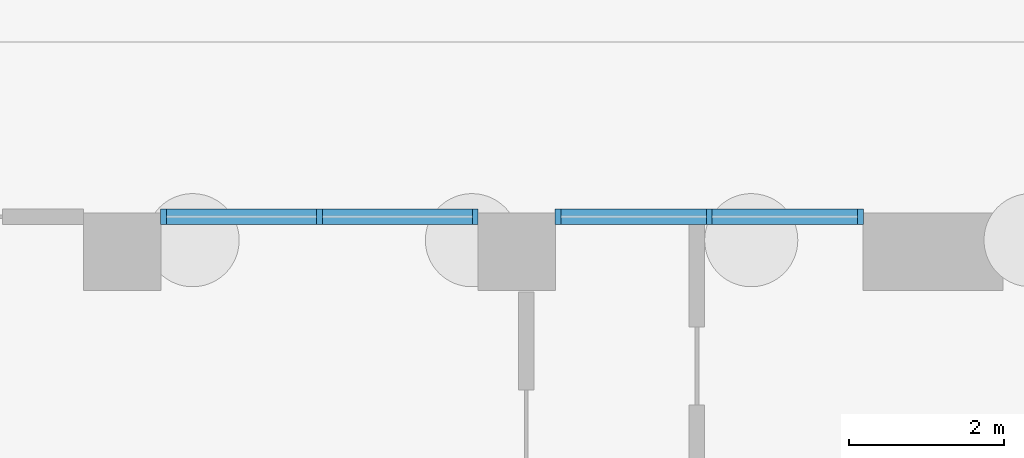
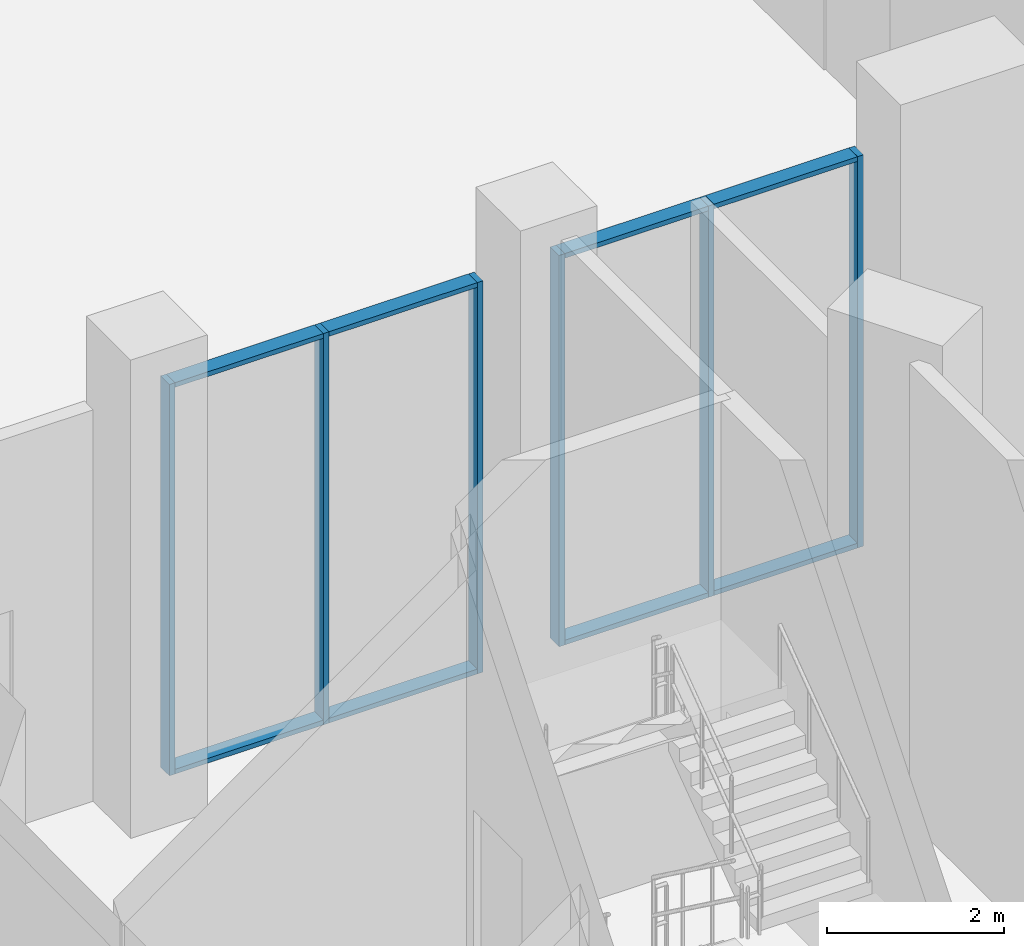
# One storey, part 9 of 44: 14 members, 2 elements without a shape of their own.
"""IFC4 building model written with IfcOpenShell, lengths in metres."""

import ifcopenshell
import ifcopenshell.guid

model = None  # the IFC model being written
_history = None  # IfcOwnerHistory: only IFC2X3 demands one
_inside = {}  # id of a spatial element -> (the spatial element, [elements in it])
_under = {}  # id of a project, library or spatial element -> (it, [spatial elements below it])
_declared = {}  # id of a project -> (the project, [libraries it declares])
_typed = {}  # id of a type object -> (the type object, [elements of that type])
_made_of = {}  # id of a material, layer set ... -> (it, [elements and type objects made of it])


def new_model(schema):
    """Start an empty IFC model of exactly this schema.

    Asked for "IFC4X3", IfcOpenShell would pick the latest addendum, in which some entities
    have other attributes; the version numbers below select the first issue.
    IFC2X3 requires an IfcOwnerHistory on every rooted entity: one is made here for all.
    """
    global model, _history
    if schema == "IFC4X3":
        model = ifcopenshell.file(schema_version=(4, 3, 0, 0))
    else:
        model = ifcopenshell.file(schema=schema)
    _inside.clear()
    _under.clear()
    _declared.clear()
    _typed.clear()
    _made_of.clear()
    _history = None
    if model.schema == "IFC2X3":
        org = make("IfcOrganization", Name="unknown")
        user = make(
            "IfcPersonAndOrganization",
            ThePerson=make("IfcPerson", FamilyName="unknown"),
            TheOrganization=org,
        )
        app = make(
            "IfcApplication",
            ApplicationDeveloper=org,
            Version="unknown",
            ApplicationFullName="unknown",
            ApplicationIdentifier="unknown",
        )
        _history = make(
            "IfcOwnerHistory",
            OwningUser=user,
            OwningApplication=app,
            ChangeAction="ADDED",
            CreationDate=0,
        )
    return model


def make(cls, **values):
    """One entity of the class cls with the attributes given. An attribute that is None is left unset."""
    return model.create_entity(
        cls, **{name: value for name, value in values.items() if value is not None}
    )


def rooted(cls, **values):
    """An entity with a GlobalId (a new one), such as an element, a storey or a relation."""
    return make(cls, GlobalId=ifcopenshell.guid.new(), OwnerHistory=_history, **values)


def si_unit(unit_type, name, prefix=None):
    """IfcSIUnit, for example si_unit("LENGTHUNIT", "METRE", prefix="MILLI")."""
    return make("IfcSIUnit", UnitType=unit_type, Prefix=prefix, Name=name)


def assignment(units):
    """IfcUnitAssignment: the units of a project."""
    return None if units is None else make("IfcUnitAssignment", Units=units)


def point(xyz):
    """IfcCartesianPoint."""
    return None if xyz is None else make("IfcCartesianPoint", Coordinates=xyz)


def direction(xyz):
    """IfcDirection."""
    return None if xyz is None else make("IfcDirection", DirectionRatios=xyz)


def frame(location, z_axis=None, x_axis=None):
    """IfcAxis2Placement3D, a coordinate frame: its origin and axes. An axis left out is left unset."""
    return make(
        "IfcAxis2Placement3D",
        Location=point(location),
        Axis=direction(z_axis),
        RefDirection=direction(x_axis),
    )


def frame_2d(location, x_axis=None):
    """IfcAxis2Placement2D, a coordinate frame in the plane: its origin and x axis."""
    return make(
        "IfcAxis2Placement2D", Location=point(location), RefDirection=direction(x_axis)
    )


def origin():
    """The frame at (0, 0, 0) with its axes left unset."""
    return frame((0.0, 0.0, 0.0))


def origin_2d():
    """The frame at (0, 0) in the plane with its x axis left unset."""
    return frame_2d((0.0, 0.0))


def place(relative_to, where):
    """IfcLocalPlacement: puts the frame where relative to a parent placement (None: the world)."""
    return make(
        "IfcLocalPlacement", PlacementRelTo=relative_to, RelativePlacement=where
    )


def context(
    kind, dimensions, precision=None, world=None, true_north=None, identifier=None
):
    """IfcGeometricRepresentationContext, for example the 3D "Model" context."""
    return make(
        "IfcGeometricRepresentationContext",
        ContextIdentifier=identifier,
        ContextType=kind,
        CoordinateSpaceDimension=dimensions,
        Precision=precision,
        WorldCoordinateSystem=world,
        TrueNorth=true_north,
    )


def subcontext(parent, identifier, kind, view, scale=None):
    """IfcGeometricRepresentationSubContext, for example "Body" below "Model"."""
    return make(
        "IfcGeometricRepresentationSubContext",
        ContextIdentifier=identifier,
        ContextType=kind,
        ParentContext=parent,
        TargetScale=scale,
        TargetView=view,
    )


def project(units=None, contexts=None):
    """IfcProject with its units and contexts."""
    return rooted(
        "IfcProject",
        Name="project",
        RepresentationContexts=contexts,
        UnitsInContext=assignment(units),
    )


def spatial(cls, under=None, at=None, **own):
    """A site, building, storey or space (cls), placed at a placement, below another one or the project."""
    s = rooted(cls, ObjectPlacement=at, **own)
    if under is not None:
        _under.setdefault(under.id(), (under, []))[1].append(s)
    return s


def profile(cls, at=None, kind="AREA", **sizes):
    """A parametric profile (cls). Its sizes go by their IFC names, for example OverallWidth=200.0."""
    return make(cls, ProfileType=kind, Position=at, **sizes)


def rectangle(**sizes):
    """IfcRectangleProfileDef."""
    return profile("IfcRectangleProfileDef", **sizes)


def extrude(swept, where, along, depth):
    """IfcExtrudedAreaSolid: the profile swept, set in the frame where, extruded along a direction by depth."""
    return make(
        "IfcExtrudedAreaSolid",
        SweptArea=swept,
        Position=where,
        ExtrudedDirection=direction(along),
        Depth=depth,
    )


def shape(context_of_items, identifier, shape_type, items):
    """IfcShapeRepresentation: the items that make up one representation, for example the "Body"."""
    return make(
        "IfcShapeRepresentation",
        ContextOfItems=context_of_items,
        RepresentationIdentifier=identifier,
        RepresentationType=shape_type,
        Items=items,
    )


def material(Name=None, Category=None):
    """IfcMaterial."""
    return make("IfcMaterial", Name=Name, Category=Category)


def layer(
    of_material, thickness, ventilated=None, Name=None, Category=None, Priority=None
):
    """IfcMaterialLayer: one layer of a wall or slab, of a material (None: an air gap)."""
    return make(
        "IfcMaterialLayer",
        Material=of_material,
        LayerThickness=thickness,
        IsVentilated=ventilated,
        Name=Name,
        Category=Category,
        Priority=Priority,
    )


def layer_set(layers, Name=None):
    """IfcMaterialLayerSet."""
    return make("IfcMaterialLayerSet", MaterialLayers=layers, LayerSetName=Name)


def material_profile(
    of_material, cross_section, Name=None, Category=None, Priority=None
):
    """IfcMaterialProfile: a cross section and its material."""
    return make(
        "IfcMaterialProfile",
        Name=Name,
        Material=of_material,
        Profile=cross_section,
        Priority=Priority,
        Category=Category,
    )


def profile_set(profiles, Name=None, composite=None):
    """IfcMaterialProfileSet."""
    return make(
        "IfcMaterialProfileSet",
        Name=Name,
        MaterialProfiles=profiles,
        CompositeProfile=composite,
    )


def made_of(thing, what):
    """Note that an element or type object is made of a material, layer set ...; save() writes the relation."""
    if what is not None:
        _made_of.setdefault(what.id(), (what, []))[1].append(thing)
    return thing


def type_object(cls, material=None, **own):
    """A type object (cls), such as IfcWallType, which elements share."""
    return made_of(rooted(cls, **own), material)


def element(
    cls,
    number,
    at=None,
    inside=None,
    cuts=None,
    type_object=None,
    material=None,
    context=None,
    identifier="Body",
    shape_type=None,
    held_by="IfcProductDefinitionShape",
    body=None,
    shapes=None,
    **own,
):
    """One element of the class cls, such as IfcWall. Its Tag is "e" and its number.

    at: its placement. inside: the storey or other place that contains it. cuts: it is an
    opening in that element (IfcRelVoidsElement). A single representation is given by context,
    identifier, shape_type and body (its items); several are given by shapes. held_by: the class
    of the entity that holds the representations. save() writes the other relations.
    """
    e = rooted(cls, Tag="e%d" % number, ObjectPlacement=at, **own)
    if body is not None:
        shapes = [shape(context, identifier, shape_type, body)]
    if shapes is not None:
        e.Representation = make(held_by, Representations=shapes)
    if inside is not None:
        _inside.setdefault(inside.id(), (inside, []))[1].append(e)
    if cuts is not None:
        rooted(
            "IfcRelVoidsElement", RelatingBuildingElement=cuts, RelatedOpeningElement=e
        )
    if type_object is not None:
        _typed.setdefault(type_object.id(), (type_object, []))[1].append(e)
    return made_of(e, material)


def aggregate(whole, parts):
    """IfcRelAggregates: a whole, such as a stair, and the parts it consists of."""
    return rooted("IfcRelAggregates", RelatingObject=whole, RelatedObjects=parts)


def save(model, path):
    """Write the relations noted so far, then the file.

    IfcRelAggregates (storeys below a building ...), IfcRelContainedInSpatialStructure (elements
    in a storey), IfcRelDefinesByType, IfcRelAssociatesMaterial and IfcRelDeclares: one each for
    every whole, place, type object, material and project.
    """
    for whole, parts in _under.values():
        aggregate(whole, parts)
    for where, things in _inside.values():
        rooted(
            "IfcRelContainedInSpatialStructure",
            RelatedElements=things,
            RelatingStructure=where,
        )
    for kind, things in _typed.values():
        rooted("IfcRelDefinesByType", RelatedObjects=things, RelatingType=kind)
    for what, things in _made_of.values():
        rooted("IfcRelAssociatesMaterial", RelatedObjects=things, RelatingMaterial=what)
    for by, libraries in _declared.values():
        rooted("IfcRelDeclares", RelatingContext=by, RelatedDefinitions=libraries)
    model.write(path)


model = new_model("IFC4")

# Units and contexts
model_context = context("Model", 3, precision=1e-05, world=origin(), true_north=direction((0.0, 1.0)))
body_context = subcontext(model_context, "Body", "Model", "MODEL_VIEW")
ifc_project = project(units=[si_unit("LENGTHUNIT", "METRE"), si_unit("AREAUNIT", "SQUARE_METRE"), si_unit("VOLUMEUNIT", "CUBIC_METRE"), si_unit("PLANEANGLEUNIT", "RADIAN"), si_unit("MASSUNIT", "GRAM", prefix="KILO")], contexts=[model_context])

# Site, building, storey
site_placement = place(None, origin())
site = spatial("IfcSite", under=ifc_project, at=site_placement, CompositionType="ELEMENT")
building_placement = place(site_placement, origin())
building = spatial("IfcBuilding", under=site, at=building_placement, Name="Nakaniwa Court", CompositionType="ELEMENT")
storey_placement = place(building_placement, origin())
storey = spatial("IfcBuildingStorey", under=building, at=storey_placement, Name="L00", CompositionType="ELEMENT", Elevation=0.0)

# Curtain wall, members
ifc_material_1 = material(Name="Black anodised aluminium frame with dark low-E laminated double glazing", Category="aluminium")
ifc_layer = layer(ifc_material_1, 0.199951171875)
ifc_layer_set = layer_set([ifc_layer], Name="Black anodised aluminium frame with dark low-E laminated double glazing")
curtain_wall_type = type_object("IfcCurtainWallType", Name="Portal side curtain wall", PredefinedType="NOTDEFINED", material=ifc_layer_set)
curtain_wall_1_placement = place(storey_placement, origin())
curtain_wall_1 = element("IfcCurtainWall", 1, at=curtain_wall_1_placement, inside=storey, type_object=curtain_wall_type, Name="L00 curtain wall CW5 09", PredefinedType="NOTDEFINED")
ifc_material_2 = material(Name="Black anodised aluminium extrusion", Category="aluminium")
ifc_material_profile_1 = material_profile(ifc_material_2, rectangle(XDim=0.199951171875, YDim=0.074951171875, at=origin_2d()), Name="Portal side curtain wall mullion 75x200")
ifc_profile_set_1 = profile_set([ifc_material_profile_1], Name="Black anodised aluminium extrusion")
member_type_1 = type_object("IfcMemberType", Name="Portal side curtain wall mullion 75x200", PredefinedType="MULLION", material=ifc_profile_set_1)
member_1_placement = place(storey_placement, frame((61.6083984375, 72.5, 0.0), z_axis=(0.0, 0.0, 1.0), x_axis=(0.0, -1.0, 0.0)))
member_1 = element("IfcMember", 2, at=member_1_placement, type_object=member_type_1, Name="CW5 mullion 1", PredefinedType="MULLION", context=body_context, shape_type="SweptSolid", body=[
    extrude(rectangle(XDim=0.199951171875, YDim=0.074951171875, at=origin_2d()), origin(), (0.0, 0.0, 1.0), 5.39990234375),
])
member_2_placement = place(storey_placement, frame((59.659423828125, 72.5, 0.0), z_axis=(0.0, 0.0, 1.0), x_axis=(0.0, -1.0, 0.0)))
member_2 = element("IfcMember", 3, at=member_2_placement, type_object=member_type_1, Name="CW5 mullion 2", PredefinedType="MULLION", context=body_context, shape_type="SweptSolid", body=[
    extrude(rectangle(XDim=0.199951171875, YDim=0.074951171875, at=origin_2d()), origin(), (0.0, 0.0, 1.0), 5.39990234375),
])
member_3_placement = place(storey_placement, frame((57.71044921875, 72.5, 0.0), z_axis=(0.0, 0.0, 1.0), x_axis=(0.0, -1.0, 0.0)))
member_3 = element("IfcMember", 4, at=member_3_placement, type_object=member_type_1, Name="CW5 mullion 3", PredefinedType="MULLION", context=body_context, shape_type="SweptSolid", body=[
    extrude(rectangle(XDim=0.199951171875, YDim=0.074951171875, at=origin_2d()), origin(), (0.0, 0.0, 1.0), 5.39990234375),
])

curtain_wall_2_placement = place(storey_placement, origin())
curtain_wall_2 = element("IfcCurtainWall", 5, at=curtain_wall_2_placement, inside=storey, type_object=curtain_wall_type, Name="L00 curtain wall CW5 10", PredefinedType="NOTDEFINED")
member_4_placement = place(storey_placement, frame((56.6435546875, 72.5, 0.0), z_axis=(0.0, 0.0, 1.0), x_axis=(0.0, -1.0, 0.0)))
member_4 = element("IfcMember", 6, at=member_4_placement, type_object=member_type_1, Name="CW5 mullion 1", PredefinedType="MULLION", context=body_context, shape_type="SweptSolid", body=[
    extrude(rectangle(XDim=0.199951171875, YDim=0.074951171875, at=origin_2d()), origin(), (0.0, 0.0, 1.0), 5.39990234375),
])
member_5_placement = place(storey_placement, frame((54.634033203125, 72.5, 0.0), z_axis=(0.0, 0.0, 1.0), x_axis=(0.0, -1.0, 0.0)))
member_5 = element("IfcMember", 7, at=member_5_placement, type_object=member_type_1, Name="CW5 mullion 2", PredefinedType="MULLION", context=body_context, shape_type="SweptSolid", body=[
    extrude(rectangle(XDim=0.199951171875, YDim=0.074951171875, at=origin_2d()), origin(), (0.0, 0.0, 1.0), 5.39990234375),
])
member_6_placement = place(storey_placement, frame((52.62451171875, 72.5, 0.0), z_axis=(0.0, 0.0, 1.0), x_axis=(0.0, -1.0, 0.0)))
member_6 = element("IfcMember", 8, at=member_6_placement, type_object=member_type_1, Name="CW5 mullion 3", PredefinedType="MULLION", context=body_context, shape_type="SweptSolid", body=[
    extrude(rectangle(XDim=0.199951171875, YDim=0.074951171875, at=origin_2d()), origin(), (0.0, 0.0, 1.0), 5.39990234375),
])

# Member
ifc_material_profile_2 = material_profile(ifc_material_2, rectangle(XDim=0.199951171875, YDim=0.06494140625, at=origin_2d()), Name="Portal side curtain wall transom 65x200")
ifc_profile_set_2 = profile_set([ifc_material_profile_2], Name="Black anodised aluminium extrusion")
member_type_2 = type_object("IfcMemberType", Name="Portal side curtain wall transom 65x200", PredefinedType="USERDEFINED", material=ifc_profile_set_2)
member_7_placement = place(storey_placement, frame((61.571044921875, 72.5, 0.032470703125), z_axis=(-1.0, 0.0, 0.0), x_axis=(0.0, -1.0, 0.0)))
member_7 = element("IfcMember", 9, at=member_7_placement, type_object=member_type_2, Name="CW5 transom 1.1", ObjectType="TRANSOM", PredefinedType="USERDEFINED", context=body_context, shape_type="SweptSolid", body=[
    extrude(rectangle(XDim=0.199951171875, YDim=0.06494140625, at=origin_2d()), origin(), (0.0, 0.0, 1.0), 1.8740234375),
])

member_8_placement = place(storey_placement, frame((61.571044921875, 72.5, 5.367431640625), z_axis=(-1.0, 0.0, 0.0), x_axis=(0.0, -1.0, 0.0)))
member_8 = element("IfcMember", 10, at=member_8_placement, type_object=member_type_2, Name="CW5 transom 1.2", ObjectType="TRANSOM", PredefinedType="USERDEFINED", context=body_context, shape_type="SweptSolid", body=[
    extrude(rectangle(XDim=0.199951171875, YDim=0.06494140625, at=origin_2d()), origin(), (0.0, 0.0, 1.0), 1.8740234375),
])

member_9_placement = place(storey_placement, frame((59.6220703125, 72.5, 0.032470703125), z_axis=(-1.0, 0.0, 0.0), x_axis=(0.0, -1.0, 0.0)))
member_9 = element("IfcMember", 11, at=member_9_placement, type_object=member_type_2, Name="CW5 transom 2.1", ObjectType="TRANSOM", PredefinedType="USERDEFINED", context=body_context, shape_type="SweptSolid", body=[
    extrude(rectangle(XDim=0.199951171875, YDim=0.06494140625, at=origin_2d()), origin(), (0.0, 0.0, 1.0), 1.8740234375),
])

member_10_placement = place(storey_placement, frame((59.6220703125, 72.5, 5.367431640625), z_axis=(-1.0, 0.0, 0.0), x_axis=(0.0, -1.0, 0.0)))
member_10 = element("IfcMember", 12, at=member_10_placement, type_object=member_type_2, Name="CW5 transom 2.2", ObjectType="TRANSOM", PredefinedType="USERDEFINED", context=body_context, shape_type="SweptSolid", body=[
    extrude(rectangle(XDim=0.199951171875, YDim=0.06494140625, at=origin_2d()), origin(), (0.0, 0.0, 1.0), 1.8740234375),
])

aggregate(curtain_wall_1, [member_1, member_2, member_3, member_7, member_8, member_9, member_10])

member_11_placement = place(storey_placement, frame((56.60595703125, 72.5, 0.032470703125), z_axis=(-1.0, 0.0, 0.0), x_axis=(0.0, -1.0, 0.0)))
member_11 = element("IfcMember", 13, at=member_11_placement, type_object=member_type_2, Name="CW5 transom 1.1", ObjectType="TRANSOM", PredefinedType="USERDEFINED", context=body_context, shape_type="SweptSolid", body=[
    extrude(rectangle(XDim=0.199951171875, YDim=0.06494140625, at=origin_2d()), origin(), (0.0, 0.0, 1.0), 1.9345703125),
])

member_12_placement = place(storey_placement, frame((56.60595703125, 72.5, 5.367431640625), z_axis=(-1.0, 0.0, 0.0), x_axis=(0.0, -1.0, 0.0)))
member_12 = element("IfcMember", 14, at=member_12_placement, type_object=member_type_2, Name="CW5 transom 1.2", ObjectType="TRANSOM", PredefinedType="USERDEFINED", context=body_context, shape_type="SweptSolid", body=[
    extrude(rectangle(XDim=0.199951171875, YDim=0.06494140625, at=origin_2d()), origin(), (0.0, 0.0, 1.0), 1.9345703125),
])

member_13_placement = place(storey_placement, frame((54.596435546875, 72.5, 0.032470703125), z_axis=(-1.0, 0.0, 0.0), x_axis=(0.0, -1.0, 0.0)))
member_13 = element("IfcMember", 15, at=member_13_placement, type_object=member_type_2, Name="CW5 transom 2.1", ObjectType="TRANSOM", PredefinedType="USERDEFINED", context=body_context, shape_type="SweptSolid", body=[
    extrude(rectangle(XDim=0.199951171875, YDim=0.06494140625, at=origin_2d()), origin(), (0.0, 0.0, 1.0), 1.934326171875),
])

member_14_placement = place(storey_placement, frame((54.596435546875, 72.5, 5.367431640625), z_axis=(-1.0, 0.0, 0.0), x_axis=(0.0, -1.0, 0.0)))
member_14 = element("IfcMember", 16, at=member_14_placement, type_object=member_type_2, Name="CW5 transom 2.2", ObjectType="TRANSOM", PredefinedType="USERDEFINED", context=body_context, shape_type="SweptSolid", body=[
    extrude(rectangle(XDim=0.199951171875, YDim=0.06494140625, at=origin_2d()), origin(), (0.0, 0.0, 1.0), 1.934326171875),
])

aggregate(curtain_wall_2, [member_4, member_5, member_6, member_11, member_12, member_13, member_14])

save(model, "model.ifc")
